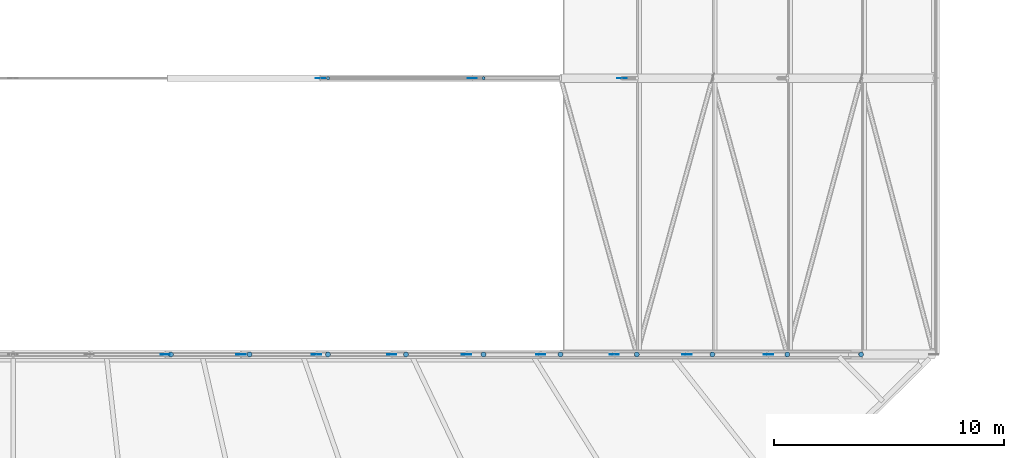
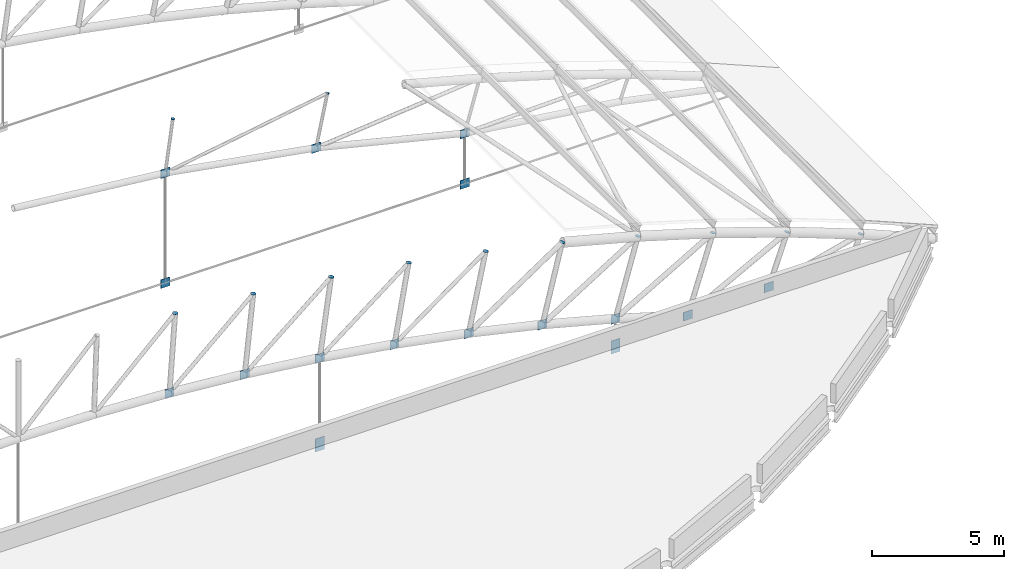
# One storey, part 267 of 321: 30 discrete accessories.
"""IFC4 building model written with IfcOpenShell, lengths in metres."""

from ifc_helpers import new_model, si_unit, direction, frame, origin, origin_2d, place, context, subcontext, project, spatial, rectangle, circle, extrude, material, material_profile, profile_set, type_object, element, save


model = new_model("IFC4")

# Units and contexts
model_context = context("Model", 3, precision=1e-05, world=origin(), true_north=direction((0.0, 1.0)))
body_context = subcontext(model_context, "Body", "Model", "MODEL_VIEW")
ifc_project = project(units=[si_unit("LENGTHUNIT", "METRE"), si_unit("AREAUNIT", "SQUARE_METRE"), si_unit("VOLUMEUNIT", "CUBIC_METRE"), si_unit("PLANEANGLEUNIT", "RADIAN"), si_unit("MASSUNIT", "GRAM", prefix="KILO")], contexts=[model_context])

# Site, building, storey
site_placement = place(None, origin())
site = spatial("IfcSite", under=ifc_project, at=site_placement, CompositionType="ELEMENT")
building_placement = place(site_placement, origin())
building = spatial("IfcBuilding", under=site, at=building_placement, Name="Ravi Spectrum Wholesale Market", CompositionType="ELEMENT")
storey_placement = place(building_placement, frame((0.0, 0.0, 10.800048828125)))
storey = spatial("IfcBuildingStorey", under=building, at=storey_placement, Name="L02", CompositionType="ELEMENT", Elevation=10.800048828125)

# Discrete accessories
ifc_material_1 = material(Name="Steel S355", Category="steel")
ifc_material_profile_1 = material_profile(ifc_material_1, circle(Radius=0.06982421875, at=origin_2d()))
ifc_profile_set_1 = profile_set([ifc_material_profile_1], Name="Steel S355")
discrete_accessory_type_1 = type_object("IfcDiscreteAccessoryType", Name="End plate CHS 139.7x5", PredefinedType="BRACKET", material=ifc_profile_set_1)
for number, where, z_axis, x_axis, name in (
    (1, (83.681884765625, 42.0, 7.479736328125), (0.141421356237, 0.0, 0.989949493661), (0.0, 1.0, 0.0), "End plate"),
    (2, (90.44140625, 42.0, 6.30224609375), (0.203954254112, 0.0, 0.978980419738), (0.0, 1.0, 0.0), "End plate"),
):
    element("IfcDiscreteAccessory", number, at=place(storey_placement, frame(where, z_axis=z_axis, x_axis=x_axis)), inside=storey, type_object=discrete_accessory_type_1, Name=name, PredefinedType="BRACKET", context=body_context, shape_type="SweptSolid", body=[
        extrude(circle(Radius=0.06982421875, at=origin_2d()), origin(), (0.0, 0.0, 1.0), 0.011962890625),
    ])
ifc_material_2 = material(Name="Steel S355", Category="steel")
ifc_material_profile_2 = material_profile(ifc_material_2, circle(Radius=0.109619140625, at=origin_2d()))
ifc_profile_set_2 = profile_set([ifc_material_profile_2], Name="Steel S355")
discrete_accessory_type_2 = type_object("IfcDiscreteAccessoryType", Name="End plate CHS 219.1x8", PredefinedType="BRACKET", material=ifc_profile_set_2)
for number, where, z_axis, x_axis, name in (
    (3, (76.85546875, 30.0, 8.163330078125), (0.081362009455, 0.0, 0.996684615823), (0.0, 1.0, 0.0), "End plate"),
    (4, (80.273193359375, 30.0, 7.867919921875), (0.101513688013, 0.0, 0.994834142531), (0.0, 1.0, 0.0), "End plate"),
    (5, (83.678466796875, 30.0, 7.45458984375), (0.141421356237, 0.0, 0.989949493661), (0.0, 1.0, 0.0), "End plate"),
    (6, (87.0673828125, 30.0, 6.92431640625), (0.18428853505, 0.0, 0.982872186934), (0.0, 1.0, 0.0), "End plate"),
    (7, (90.436279296875, 30.0, 6.27734375), (0.203954254112, 0.0, 0.978980419738), (0.0, 1.0, 0.0), "End plate"),
    (8, (93.78076171875, 30.0, 5.514404296875), (0.223376156329, 0.0, 0.974732318528), (0.0, 1.0, 0.0), "End plate"),
):
    element("IfcDiscreteAccessory", number, at=place(storey_placement, frame(where, z_axis=z_axis, x_axis=x_axis)), inside=storey, type_object=discrete_accessory_type_2, Name=name, PredefinedType="BRACKET", context=body_context, shape_type="SweptSolid", body=[
        extrude(circle(Radius=0.109619140625, at=origin_2d()), origin(), (0.0, 0.0, 1.0), 0.011962890625),
    ])
discrete_accessory_1_placement = place(storey_placement, frame((97.096923828125, 30.0, 4.63671875), z_axis=(0.261415475728, 0.0, 0.96522637192), x_axis=(0.0, 1.0, 0.0)))
element("IfcDiscreteAccessory", 9, at=discrete_accessory_1_placement, inside=storey, type_object=discrete_accessory_type_2, Name="End plate", PredefinedType="BRACKET", context=body_context, shape_type="SweptSolid", body=[
    extrude(circle(Radius=0.109619140625, at=origin_2d()), origin(), (0.0, 0.0, 1.0), 0.01220703125),
])
for number, where, z_axis, x_axis, name in (
    (10, (100.380615234375, 30.0, 3.645263671875), (0.304040173793, 0.0, 0.952659211219), (0.0, 1.0, 0.0), "End plate"),
    (11, (103.62841796875, 30.0, 2.541015625), (0.346650140872, 0.0, 0.937994498829), (0.0, 1.0, 0.0), "End plate"),
    (12, (106.836181640625, 30.0, 1.325439453125), (0.364399348581, 0.0, 0.931242779706), (0.0, 1.0, 0.0), "End plate"),
):
    element("IfcDiscreteAccessory", number, at=place(storey_placement, frame(where, z_axis=z_axis, x_axis=x_axis)), inside=storey, type_object=discrete_accessory_type_2, Name=name, PredefinedType="BRACKET", context=body_context, shape_type="SweptSolid", body=[
        extrude(circle(Radius=0.109619140625, at=origin_2d()), origin(), (0.0, 0.0, 1.0), 0.011962890625),
    ])
ifc_material_3 = material(Name="Steel S355", Category="steel")
ifc_material_profile_3 = material_profile(ifc_material_3, rectangle(XDim=0.39990234375, YDim=0.02001953125, at=origin_2d()))
ifc_profile_set_3 = profile_set([ifc_material_profile_3], Name="Steel S355")
discrete_accessory_type_3 = type_object("IfcDiscreteAccessoryType", Name="Gusset plate 400x400x20", PredefinedType="BRACKET", material=ifc_profile_set_3)
discrete_accessory_2_placement = place(storey_placement, frame((76.607421875, 30.0, 4.371826171875), z_axis=(0.0, 0.0, 1.0), x_axis=(-1.0, 0.0, 0.0)))
element("IfcDiscreteAccessory", 13, at=discrete_accessory_2_placement, inside=storey, type_object=discrete_accessory_type_3, Name="Gusset plate", PredefinedType="BRACKET", context=body_context, shape_type="SweptSolid", body=[
    extrude(rectangle(XDim=0.39990234375, YDim=0.02001953125, at=origin_2d()), origin(), (0.0, 0.0, 1.0), 0.400146484375),
])
discrete_accessory_3_placement = place(storey_placement, frame((79.901123046875, 30.0, 4.087158203125), z_axis=(0.0, 0.0, 1.0), x_axis=(-1.0, 0.0, 0.0)))
element("IfcDiscreteAccessory", 14, at=discrete_accessory_3_placement, inside=storey, type_object=discrete_accessory_type_3, Name="Gusset plate", PredefinedType="BRACKET", context=body_context, shape_type="SweptSolid", body=[
    extrude(rectangle(XDim=0.39990234375, YDim=0.02001953125, at=origin_2d()), origin(), (0.0, 0.0, 1.0), 0.39990234375),
])
discrete_accessory_4_placement = place(storey_placement, frame((83.18310546875, 30.0, -0.400146484375), z_axis=(0.0, 0.0, 1.0), x_axis=(1.0, 0.0, 0.0)))
element("IfcDiscreteAccessory", 15, at=discrete_accessory_4_placement, inside=storey, type_object=discrete_accessory_type_3, Name="Gusset plate", PredefinedType="BRACKET", context=body_context, shape_type="SweptSolid", body=[
    extrude(rectangle(XDim=0.39990234375, YDim=0.02001953125, at=origin_2d()), origin(), (0.0, 0.0, 1.0), 0.400146484375),
])
for number, where, z_axis, x_axis, name in (
    (16, (83.18310546875, 30.0, -0.199951171875), (0.0, 0.0, 1.0), (1.0, 0.0, 0.0), "Gusset plate"),
    (17, (83.18310546875, 30.0, 3.68896484375), (0.0, 0.0, 1.0), (-1.0, 0.0, 0.0), "Gusset plate"),
    (18, (83.351806640625, 42.0, -0.1767578125), (0.0, 0.0, 1.0), (1.0, 0.0, 0.0), "Gusset plate"),
):
    element("IfcDiscreteAccessory", number, at=place(storey_placement, frame(where, z_axis=z_axis, x_axis=x_axis)), inside=storey, type_object=discrete_accessory_type_3, Name=name, PredefinedType="BRACKET", context=body_context, shape_type="SweptSolid", body=[
        extrude(rectangle(XDim=0.39990234375, YDim=0.02001953125, at=origin_2d()), origin(), (0.0, 0.0, 1.0), 0.39990234375),
    ])
discrete_accessory_5_placement = place(storey_placement, frame((83.351806640625, 42.0, 4.902587890625), z_axis=(0.0, 0.0, 1.0), x_axis=(-1.0, 0.0, 0.0)))
element("IfcDiscreteAccessory", 19, at=discrete_accessory_5_placement, inside=storey, type_object=discrete_accessory_type_3, Name="Gusset plate", PredefinedType="BRACKET", context=body_context, shape_type="SweptSolid", body=[
    extrude(rectangle(XDim=0.39990234375, YDim=0.02001953125, at=origin_2d()), origin(), (0.0, 0.0, 1.0), 0.400146484375),
])
for number, where, z_axis, x_axis, name in (
    (20, (86.44970703125, 30.0, 3.177734375), (0.0, 0.0, 1.0), (-1.0, 0.0, 0.0), "Gusset plate"),
    (21, (89.6962890625, 30.0, 2.55419921875), (0.0, 0.0, 1.0), (-1.0, 0.0, 0.0), "Gusset plate"),
    (22, (89.9482421875, 42.0, 3.75341796875), (0.0, 0.0, 1.0), (-1.0, 0.0, 0.0), "Gusset plate"),
    (23, (92.919677734375, 30.0, 1.819091796875), (0.0, 0.0, 1.0), (-1.0, 0.0, 0.0), "Gusset plate"),
):
    element("IfcDiscreteAccessory", number, at=place(storey_placement, frame(where, z_axis=z_axis, x_axis=x_axis)), inside=storey, type_object=discrete_accessory_type_3, Name=name, PredefinedType="BRACKET", context=body_context, shape_type="SweptSolid", body=[
        extrude(rectangle(XDim=0.39990234375, YDim=0.02001953125, at=origin_2d()), origin(), (0.0, 0.0, 1.0), 0.39990234375),
    ])
discrete_accessory_6_placement = place(storey_placement, frame((96.11572265625, 30.0, -0.400146484375), z_axis=(0.0, 0.0, 1.0), x_axis=(1.0, 0.0, 0.0)))
element("IfcDiscreteAccessory", 24, at=discrete_accessory_6_placement, inside=storey, type_object=discrete_accessory_type_3, Name="Gusset plate", PredefinedType="BRACKET", context=body_context, shape_type="SweptSolid", body=[
    extrude(rectangle(XDim=0.39990234375, YDim=0.02001953125, at=origin_2d()), origin(), (0.0, 0.0, 1.0), 0.400146484375),
])
for number, where, z_axis, x_axis, name in (
    (25, (96.11572265625, 30.0, -0.199951171875), (0.0, 0.0, 1.0), (1.0, 0.0, 0.0), "Gusset plate"),
    (26, (96.11572265625, 30.0, 0.97314453125), (0.0, 0.0, 1.0), (-1.0, 0.0, 0.0), "Gusset plate"),
    (27, (96.44970703125, 42.0, -0.1767578125), (0.0, 0.0, 1.0), (1.0, 0.0, 0.0), "Gusset plate"),
    (28, (96.44970703125, 42.0, 2.152099609375), (0.0, 0.0, 1.0), (-1.0, 0.0, 0.0), "Gusset plate"),
):
    element("IfcDiscreteAccessory", number, at=place(storey_placement, frame(where, z_axis=z_axis, x_axis=x_axis)), inside=storey, type_object=discrete_accessory_type_3, Name=name, PredefinedType="BRACKET", context=body_context, shape_type="SweptSolid", body=[
        extrude(rectangle(XDim=0.39990234375, YDim=0.02001953125, at=origin_2d()), origin(), (0.0, 0.0, 1.0), 0.39990234375),
    ])
discrete_accessory_7_placement = place(storey_placement, frame((99.28076171875, 30.0, 0.017333984375), z_axis=(0.0, 0.0, 1.0), x_axis=(-1.0, 0.0, 0.0)))
element("IfcDiscreteAccessory", 29, at=discrete_accessory_7_placement, inside=storey, type_object=discrete_accessory_type_3, Name="Gusset plate", PredefinedType="BRACKET", context=body_context, shape_type="SweptSolid", body=[
    extrude(rectangle(XDim=0.39990234375, YDim=0.02001953125, at=origin_2d()), origin(), (0.0, 0.0, 1.0), 0.400146484375),
])
discrete_accessory_8_placement = place(storey_placement, frame((102.81689453125, 30.0, 0.08251953125), z_axis=(0.0, 0.0, 1.0), x_axis=(-1.0, 0.0, 0.0)))
element("IfcDiscreteAccessory", 30, at=discrete_accessory_8_placement, inside=storey, type_object=discrete_accessory_type_3, Name="Gusset plate", PredefinedType="BRACKET", context=body_context, shape_type="SweptSolid", body=[
    extrude(rectangle(XDim=0.39990234375, YDim=0.02001953125, at=origin_2d()), origin(), (0.0, 0.0, 1.0), 0.39990234375),
])

save(model, "model.ifc")
